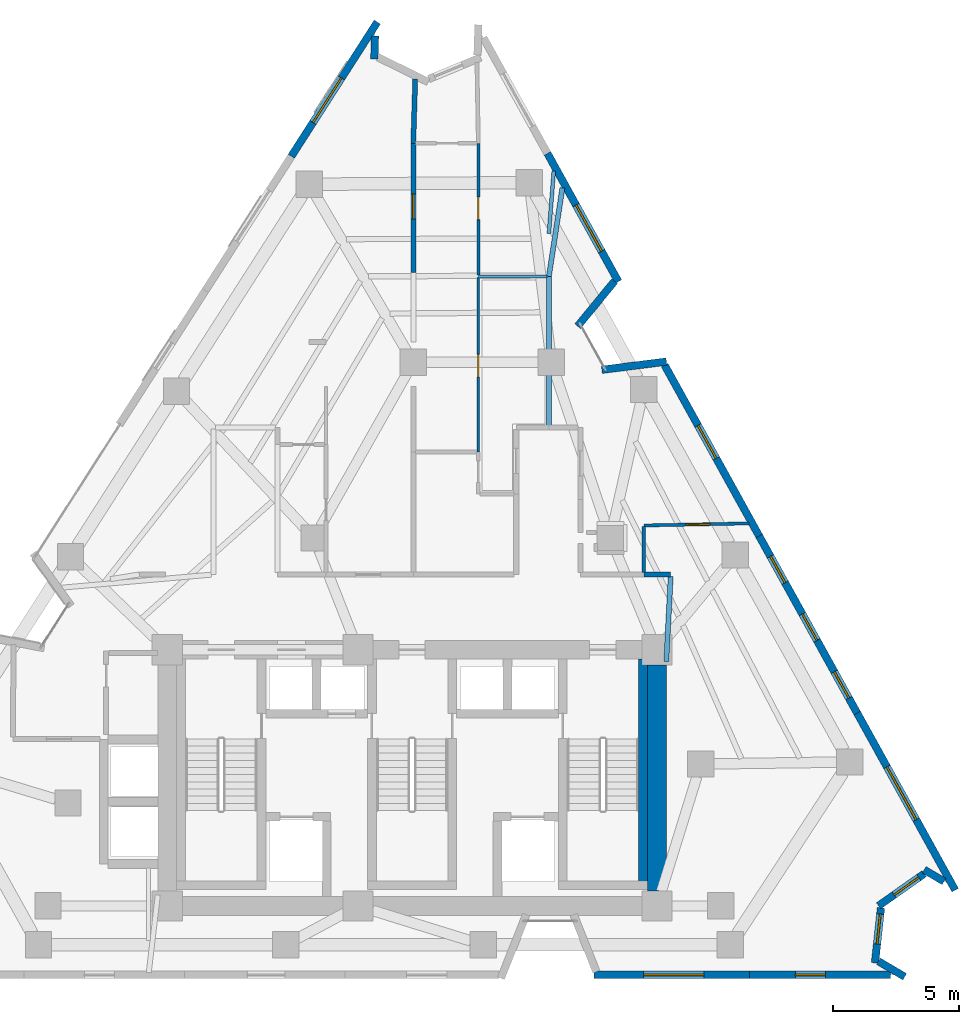
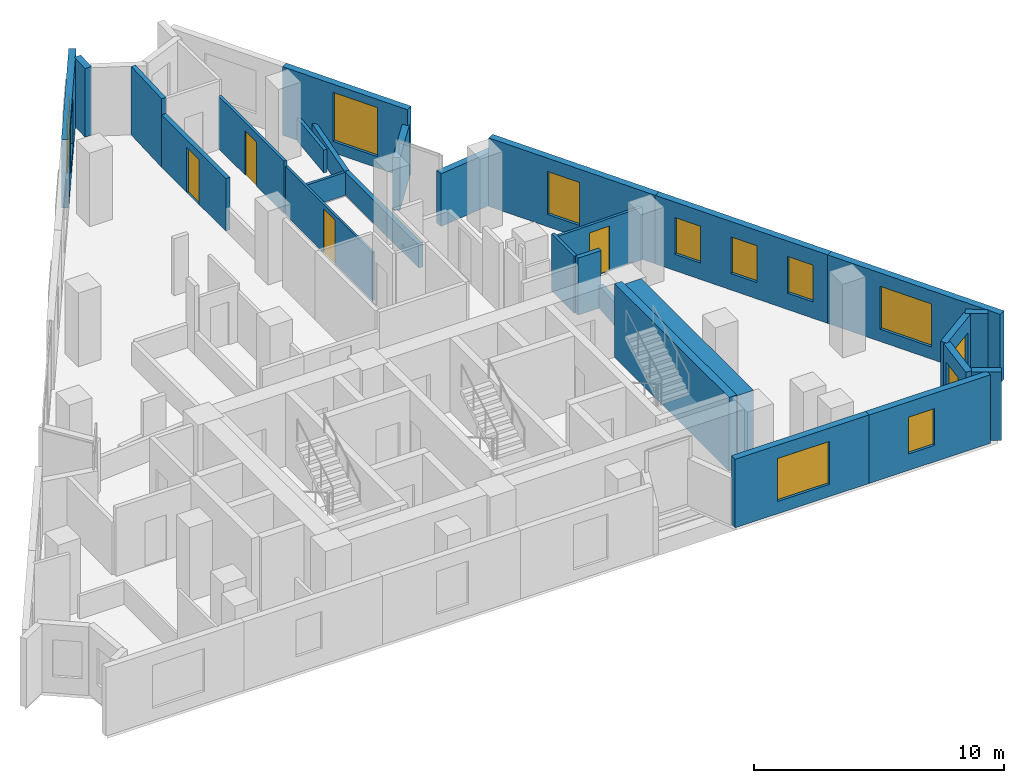
# One storey, part 7 of 10: 28 walls, 11 windows, 4 doors, 15 openings.
"""IFC4 building model written with IfcOpenShell, lengths in metres."""

import ifcopenshell
import ifcopenshell.guid

model = None  # the IFC model being written
_history = None  # IfcOwnerHistory: only IFC2X3 demands one
_inside = {}  # id of a spatial element -> (the spatial element, [elements in it])
_under = {}  # id of a project, library or spatial element -> (it, [spatial elements below it])
_declared = {}  # id of a project -> (the project, [libraries it declares])
_typed = {}  # id of a type object -> (the type object, [elements of that type])
_made_of = {}  # id of a material, layer set ... -> (it, [elements and type objects made of it])


def new_model(schema):
    """Start an empty IFC model of exactly this schema.

    Asked for "IFC4X3", IfcOpenShell would pick the latest addendum, in which some entities
    have other attributes; the version numbers below select the first issue.
    IFC2X3 requires an IfcOwnerHistory on every rooted entity: one is made here for all.
    """
    global model, _history
    if schema == "IFC4X3":
        model = ifcopenshell.file(schema_version=(4, 3, 0, 0))
    else:
        model = ifcopenshell.file(schema=schema)
    _inside.clear()
    _under.clear()
    _declared.clear()
    _typed.clear()
    _made_of.clear()
    _history = None
    if model.schema == "IFC2X3":
        org = make("IfcOrganization", Name="unknown")
        user = make(
            "IfcPersonAndOrganization",
            ThePerson=make("IfcPerson", FamilyName="unknown"),
            TheOrganization=org,
        )
        app = make(
            "IfcApplication",
            ApplicationDeveloper=org,
            Version="unknown",
            ApplicationFullName="unknown",
            ApplicationIdentifier="unknown",
        )
        _history = make(
            "IfcOwnerHistory",
            OwningUser=user,
            OwningApplication=app,
            ChangeAction="ADDED",
            CreationDate=0,
        )
    return model


def make(cls, **values):
    """One entity of the class cls with the attributes given. An attribute that is None is left unset."""
    return model.create_entity(
        cls, **{name: value for name, value in values.items() if value is not None}
    )


def rooted(cls, **values):
    """An entity with a GlobalId (a new one), such as an element, a storey or a relation."""
    return make(cls, GlobalId=ifcopenshell.guid.new(), OwnerHistory=_history, **values)


def si_unit(unit_type, name, prefix=None):
    """IfcSIUnit, for example si_unit("LENGTHUNIT", "METRE", prefix="MILLI")."""
    return make("IfcSIUnit", UnitType=unit_type, Prefix=prefix, Name=name)


def assignment(units):
    """IfcUnitAssignment: the units of a project."""
    return None if units is None else make("IfcUnitAssignment", Units=units)


def point(xyz):
    """IfcCartesianPoint."""
    return None if xyz is None else make("IfcCartesianPoint", Coordinates=xyz)


def direction(xyz):
    """IfcDirection."""
    return None if xyz is None else make("IfcDirection", DirectionRatios=xyz)


def frame(location, z_axis=None, x_axis=None):
    """IfcAxis2Placement3D, a coordinate frame: its origin and axes. An axis left out is left unset."""
    return make(
        "IfcAxis2Placement3D",
        Location=point(location),
        Axis=direction(z_axis),
        RefDirection=direction(x_axis),
    )


def frame_2d(location, x_axis=None):
    """IfcAxis2Placement2D, a coordinate frame in the plane: its origin and x axis."""
    return make(
        "IfcAxis2Placement2D", Location=point(location), RefDirection=direction(x_axis)
    )


def origin():
    """The frame at (0, 0, 0) with its axes left unset."""
    return frame((0.0, 0.0, 0.0))


def place(relative_to, where):
    """IfcLocalPlacement: puts the frame where relative to a parent placement (None: the world)."""
    return make(
        "IfcLocalPlacement", PlacementRelTo=relative_to, RelativePlacement=where
    )


def context(
    kind, dimensions, precision=None, world=None, true_north=None, identifier=None
):
    """IfcGeometricRepresentationContext, for example the 3D "Model" context."""
    return make(
        "IfcGeometricRepresentationContext",
        ContextIdentifier=identifier,
        ContextType=kind,
        CoordinateSpaceDimension=dimensions,
        Precision=precision,
        WorldCoordinateSystem=world,
        TrueNorth=true_north,
    )


def subcontext(parent, identifier, kind, view, scale=None):
    """IfcGeometricRepresentationSubContext, for example "Body" below "Model"."""
    return make(
        "IfcGeometricRepresentationSubContext",
        ContextIdentifier=identifier,
        ContextType=kind,
        ParentContext=parent,
        TargetScale=scale,
        TargetView=view,
    )


def project(units=None, contexts=None):
    """IfcProject with its units and contexts."""
    return rooted(
        "IfcProject",
        Name="project",
        RepresentationContexts=contexts,
        UnitsInContext=assignment(units),
    )


def spatial(cls, under=None, at=None, **own):
    """A site, building, storey or space (cls), placed at a placement, below another one or the project."""
    s = rooted(cls, ObjectPlacement=at, **own)
    if under is not None:
        _under.setdefault(under.id(), (under, []))[1].append(s)
    return s


def profile(cls, at=None, kind="AREA", **sizes):
    """A parametric profile (cls). Its sizes go by their IFC names, for example OverallWidth=200.0."""
    return make(cls, ProfileType=kind, Position=at, **sizes)


def rectangle(**sizes):
    """IfcRectangleProfileDef."""
    return profile("IfcRectangleProfileDef", **sizes)


def extrude(swept, where, along, depth):
    """IfcExtrudedAreaSolid: the profile swept, set in the frame where, extruded along a direction by depth."""
    return make(
        "IfcExtrudedAreaSolid",
        SweptArea=swept,
        Position=where,
        ExtrudedDirection=direction(along),
        Depth=depth,
    )


def shape(context_of_items, identifier, shape_type, items):
    """IfcShapeRepresentation: the items that make up one representation, for example the "Body"."""
    return make(
        "IfcShapeRepresentation",
        ContextOfItems=context_of_items,
        RepresentationIdentifier=identifier,
        RepresentationType=shape_type,
        Items=items,
    )


def material(Name=None, Category=None):
    """IfcMaterial."""
    return make("IfcMaterial", Name=Name, Category=Category)


def layer(
    of_material, thickness, ventilated=None, Name=None, Category=None, Priority=None
):
    """IfcMaterialLayer: one layer of a wall or slab, of a material (None: an air gap)."""
    return make(
        "IfcMaterialLayer",
        Material=of_material,
        LayerThickness=thickness,
        IsVentilated=ventilated,
        Name=Name,
        Category=Category,
        Priority=Priority,
    )


def layer_set(layers, Name=None):
    """IfcMaterialLayerSet."""
    return make("IfcMaterialLayerSet", MaterialLayers=layers, LayerSetName=Name)


def made_of(thing, what):
    """Note that an element or type object is made of a material, layer set ...; save() writes the relation."""
    if what is not None:
        _made_of.setdefault(what.id(), (what, []))[1].append(thing)
    return thing


def type_object(cls, material=None, **own):
    """A type object (cls), such as IfcWallType, which elements share."""
    return made_of(rooted(cls, **own), material)


def element(
    cls,
    number,
    at=None,
    inside=None,
    cuts=None,
    type_object=None,
    material=None,
    context=None,
    identifier="Body",
    shape_type=None,
    held_by="IfcProductDefinitionShape",
    body=None,
    shapes=None,
    **own,
):
    """One element of the class cls, such as IfcWall. Its Tag is "e" and its number.

    at: its placement. inside: the storey or other place that contains it. cuts: it is an
    opening in that element (IfcRelVoidsElement). A single representation is given by context,
    identifier, shape_type and body (its items); several are given by shapes. held_by: the class
    of the entity that holds the representations. save() writes the other relations.
    """
    e = rooted(cls, Tag="e%d" % number, ObjectPlacement=at, **own)
    if body is not None:
        shapes = [shape(context, identifier, shape_type, body)]
    if shapes is not None:
        e.Representation = make(held_by, Representations=shapes)
    if inside is not None:
        _inside.setdefault(inside.id(), (inside, []))[1].append(e)
    if cuts is not None:
        rooted(
            "IfcRelVoidsElement", RelatingBuildingElement=cuts, RelatedOpeningElement=e
        )
    if type_object is not None:
        _typed.setdefault(type_object.id(), (type_object, []))[1].append(e)
    return made_of(e, material)


def fill(opening, filler):
    """IfcRelFillsElement: the door or window that sits in an opening."""
    return rooted(
        "IfcRelFillsElement",
        RelatingOpeningElement=opening,
        RelatedBuildingElement=filler,
    )


def aggregate(whole, parts):
    """IfcRelAggregates: a whole, such as a stair, and the parts it consists of."""
    return rooted("IfcRelAggregates", RelatingObject=whole, RelatedObjects=parts)


def save(model, path):
    """Write the relations noted so far, then the file.

    IfcRelAggregates (storeys below a building ...), IfcRelContainedInSpatialStructure (elements
    in a storey), IfcRelDefinesByType, IfcRelAssociatesMaterial and IfcRelDeclares: one each for
    every whole, place, type object, material and project.
    """
    for whole, parts in _under.values():
        aggregate(whole, parts)
    for where, things in _inside.values():
        rooted(
            "IfcRelContainedInSpatialStructure",
            RelatedElements=things,
            RelatingStructure=where,
        )
    for kind, things in _typed.values():
        rooted("IfcRelDefinesByType", RelatedObjects=things, RelatingType=kind)
    for what, things in _made_of.values():
        rooted("IfcRelAssociatesMaterial", RelatedObjects=things, RelatingMaterial=what)
    for by, libraries in _declared.values():
        rooted("IfcRelDeclares", RelatingContext=by, RelatedDefinitions=libraries)
    model.write(path)


model = new_model("IFC4")

# Units and contexts
model_context = context("Model", 3, precision=1e-05, world=origin(), true_north=direction((0.0, 1.0)))
body_context = subcontext(model_context, "Body", "Model", "MODEL_VIEW")
ifc_project = project(units=[si_unit("LENGTHUNIT", "METRE"), si_unit("AREAUNIT", "SQUARE_METRE"), si_unit("VOLUMEUNIT", "CUBIC_METRE"), si_unit("PLANEANGLEUNIT", "RADIAN"), si_unit("MASSUNIT", "GRAM", prefix="KILO")], contexts=[model_context])

# Site, building, storey
site_placement = place(None, origin())
site = spatial("IfcSite", under=ifc_project, at=site_placement, CompositionType="ELEMENT")
building_placement = place(site_placement, origin())
building = spatial("IfcBuilding", under=site, at=building_placement, Name="Almagre Mirador Tower", CompositionType="ELEMENT")
storey_placement = place(building_placement, frame((0.0, 0.0, 171.60009765625)))
storey = spatial("IfcBuildingStorey", under=building, at=storey_placement, Name="L44", CompositionType="ELEMENT", Elevation=171.60009765625)

# Wall, opening, window
ifc_material_1 = material(Name="Precast concrete C50/60", Category="concrete")
ifc_layer_1 = layer(ifc_material_1, 0.300048828125)
ifc_layer_set_1 = layer_set([ifc_layer_1], Name="Precast concrete C50/60")
wall_type_1 = type_object("IfcWallType", Name="WAL-EXT-300", PredefinedType="SOLIDWALL", material=ifc_layer_set_1)
wall_1_placement = place(storey_placement, frame((32.4921875, 34.404296875, 0.0), z_axis=(0.0, 0.0, 1.0), x_axis=(0.539505373447, 0.841982156593, 0.0)))
wall_1 = element("IfcWall", 1, at=wall_1_placement, inside=storey, type_object=wall_type_1, Name="L44 expressed almagre precast frame wall 05", PredefinedType="SOLIDWALL", context=body_context, shape_type="SweptSolid", body=[
    extrude(rectangle(XDim=6.348876953125, YDim=0.300048828125, at=frame_2d((3.17431640625, 0.0))), origin(), (0.0, 0.0, 1.0), 3.349853515625),
])
opening_1_placement = place(wall_1_placement, frame((1.60009765625, 0.0, 0.550048828125)))
opening_1 = element("IfcOpeningElement", 2, at=opening_1_placement, cuts=wall_1, Name="Opening WN-05", PredefinedType="OPENING", context=body_context, shape_type="SweptSolid", body=[
    extrude(rectangle(XDim=2.10009765625, YDim=2.39990234375, at=frame_2d((1.050048828125, 1.199951171875))), frame((0.0, 0.159902, 0.0), z_axis=(0.0, -1.0, 0.0), x_axis=(1.0, 0.0, 0.0)), (0.0, 0.0, 1.0), 0.320049),
])
ifc_material_2 = material(Name="Dark solar-control laminated hurricane glass", Category="glass")
window_type_1 = type_object("IfcWindowType", Name="WIN-2100X2400", PartitioningType="DOUBLE_PANEL_VERTICAL", PredefinedType="WINDOW", material=ifc_material_2)
window_1_placement = place(opening_1_placement, origin())
window_1 = element("IfcWindow", 3, at=window_1_placement, inside=storey, type_object=window_type_1, Name="L44 recessed hurricane window L44-UG-ST", OverallHeight=2.39990234375, OverallWidth=2.10009765625, PartitioningType="SINGLE_PANEL", PredefinedType="WINDOW", context=body_context, shape_type="SweptSolid", body=[
    extrude(rectangle(XDim=2.10009765625, YDim=2.39990234375, at=frame_2d((1.050048828125, 1.199951171875))), frame((0.0, 0.030029296875, 0.0), z_axis=(0.0, -1.0, 0.0), x_axis=(1.0, 0.0, 0.0)), (0.0, 0.0, 1.0), 0.06005859375),
])
fill(opening_1, window_1)

# Wall
wall_2_placement = place(storey_placement, frame((35.827880859375, 39.192138671875, 0.0), z_axis=(0.0, 0.0, 1.0), x_axis=(-0.032034831829, -0.999486753064, 0.0)))
element("IfcWall", 4, at=wall_2_placement, inside=storey, type_object=wall_type_1, Name="L44 expressed almagre precast frame wall 06", PredefinedType="SOLIDWALL", context=body_context, shape_type="SweptSolid", body=[
    extrude(rectangle(XDim=0.91455078125, YDim=0.300048828125, at=frame_2d((0.457275390625, 0.0))), origin(), (0.0, 0.0, 1.0), 3.349853515625),
])

# Wall, opening, window
wall_3_placement = place(storey_placement, frame((42.694580078125, 34.51708984375, 0.0), z_axis=(0.0, 0.0, 1.0), x_axis=(0.484178621325, -0.874969178115, 0.0)))
wall_3 = element("IfcWall", 5, at=wall_3_placement, inside=storey, type_object=wall_type_1, Name="L44 expressed almagre precast frame wall 11", PredefinedType="SOLIDWALL", context=body_context, shape_type="SweptSolid", body=[
    extrude(rectangle(XDim=5.8349609375, YDim=0.300048828125, at=frame_2d((2.91748046875, 0.0))), origin(), (0.0, 0.0, 1.0), 3.349853515625),
])
opening_2_placement = place(wall_3_placement, frame((2.35009765625, 0.0, 0.550048828125)))
opening_2 = element("IfcOpeningElement", 6, at=opening_2_placement, cuts=wall_3, Name="Opening WN-05", PredefinedType="OPENING", context=body_context, shape_type="SweptSolid", body=[
    extrude(rectangle(XDim=2.10009765625, YDim=2.39990234375, at=frame_2d((1.050048828125, 1.199951171875))), frame((0.0, 0.159902, 0.0), z_axis=(0.0, -1.0, 0.0), x_axis=(1.0, 0.0, 0.0)), (0.0, 0.0, 1.0), 0.320049),
])
window_2_placement = place(opening_2_placement, origin())
window_2 = element("IfcWindow", 7, at=window_2_placement, inside=storey, type_object=window_type_1, Name="L44 recessed hurricane window L44-UF-ST", OverallHeight=2.39990234375, OverallWidth=2.10009765625, PartitioningType="SINGLE_PANEL", PredefinedType="WINDOW", context=body_context, shape_type="SweptSolid", body=[
    extrude(rectangle(XDim=2.10009765625, YDim=2.39990234375, at=frame_2d((1.050048828125, 1.199951171875))), frame((0.0, 0.030029296875, 0.0), z_axis=(0.0, -1.0, 0.0), x_axis=(1.0, 0.0, 0.0)), (0.0, 0.0, 1.0), 0.06005859375),
])
fill(opening_2, window_2)

# Walls
wall_4_placement = place(storey_placement, frame((45.366455078125, 29.4296875, 0.0), z_axis=(0.0, 0.0, 1.0), x_axis=(-0.634074551455, -0.773271920606, 0.0)))
element("IfcWall", 8, at=wall_4_placement, inside=storey, type_object=wall_type_1, Name="L44 expressed almagre precast frame wall 12", PredefinedType="SOLIDWALL", context=body_context, shape_type="SweptSolid", body=[
    extrude(rectangle(XDim=2.318603515625, YDim=0.300048828125, at=frame_2d((1.1591796875, 0.0))), origin(), (0.0, 0.0, 1.0), 2.574951171875),
])
wall_5_placement = place(storey_placement, frame((44.858154296875, 25.8994140625, 0.0), z_axis=(0.0, 0.0, 1.0), x_axis=(0.991953049751, 0.126606267974, 0.0)))
element("IfcWall", 9, at=wall_5_placement, inside=storey, type_object=wall_type_1, Name="L44 expressed almagre precast frame wall 13", PredefinedType="SOLIDWALL", context=body_context, shape_type="SweptSolid", body=[
    extrude(rectangle(XDim=2.593505859375, YDim=0.300048828125, at=frame_2d((1.296875, 0.0))), origin(), (0.0, 0.0, 1.0), 2.574951171875),
])

# Wall, opening, window
wall_6_placement = place(storey_placement, frame((47.35986328125, 26.08740234375, 0.0), z_axis=(0.0, 0.0, 1.0), x_axis=(0.484182040501, -0.874967286049, 0.0)))
wall_6 = element("IfcWall", 10, at=wall_6_placement, inside=storey, type_object=wall_type_1, Name="L44 expressed almagre precast frame wall 14", PredefinedType="SOLIDWALL", context=body_context, shape_type="SweptSolid", body=[
    extrude(rectangle(XDim=7.779296875, YDim=0.300048828125, at=frame_2d((3.8896484375, 0.0))), origin(), (0.0, 0.0, 1.0), 3.349853515625),
])
opening_3_placement = place(wall_6_placement, frame((2.7451171875, 0.0, 0.60009765625)))
opening_3 = element("IfcOpeningElement", 11, at=opening_3_placement, cuts=wall_6, Name="Opening WN-03", PredefinedType="OPENING", context=body_context, shape_type="SweptSolid", body=[
    extrude(rectangle(XDim=1.5, YDim=2.10009765625, at=frame_2d((0.75, 1.050048828125))), frame((0.0, 0.159902, 0.0), z_axis=(0.0, -1.0, 0.0), x_axis=(1.0, 0.0, 0.0)), (0.0, 0.0, 1.0), 0.320049),
])
ifc_material_3 = material(Name="Dark solar-control laminated hurricane glass", Category="glass")
window_type_2 = type_object("IfcWindowType", Name="WIN-1500X2100", PartitioningType="DOUBLE_PANEL_VERTICAL", PredefinedType="WINDOW", material=ifc_material_3)
window_3_placement = place(opening_3_placement, origin())
window_3 = element("IfcWindow", 12, at=window_3_placement, inside=storey, type_object=window_type_2, Name="L44 recessed hurricane window L44-UF-ST", OverallHeight=2.10009765625, OverallWidth=1.5, PartitioningType="SINGLE_PANEL", PredefinedType="WINDOW", context=body_context, shape_type="SweptSolid", body=[
    extrude(rectangle(XDim=1.5, YDim=2.10009765625, at=frame_2d((0.75, 1.050048828125))), frame((0.0, 0.030029296875, 0.0), z_axis=(0.0, -1.0, 0.0), x_axis=(1.0, 0.0, 0.0)), (0.0, 0.0, 1.0), 0.06005859375),
])
fill(opening_3, window_3)

# Wall, openings, windows
wall_7_placement = place(storey_placement, frame((51.12646484375, 19.28076171875, 0.0), z_axis=(0.0, 0.0, 1.0), x_axis=(0.484181305153, -0.87496769297, 0.0)))
wall_7 = element("IfcWall", 13, at=wall_7_placement, inside=storey, type_object=wall_type_1, Name="L44 expressed almagre precast frame wall 15", PredefinedType="SOLIDWALL", context=body_context, shape_type="SweptSolid", body=[
    extrude(rectangle(XDim=8.05908203125, YDim=0.300048828125, at=frame_2d((4.029541015625, 0.0))), origin(), (0.0, 0.0, 1.0), 3.349853515625),
])
opening_4_placement = place(wall_7_placement, frame((6.175048828125, 0.0, 0.800048828125)))
opening_4 = element("IfcOpeningElement", 14, at=opening_4_placement, cuts=wall_7, Name="Opening WN-04", PredefinedType="OPENING", context=body_context, shape_type="SweptSolid", body=[
    extrude(rectangle(XDim=1.199951171875, YDim=1.800048828125, at=frame_2d((0.60009765625, 0.89990234375))), frame((0.0, 0.159902, 0.0), z_axis=(0.0, -1.0, 0.0), x_axis=(1.0, 0.0, 0.0)), (0.0, 0.0, 1.0), 0.320049),
])
opening_5_placement = place(wall_7_placement, frame((3.550048828125, 0.0, 0.800048828125)))
opening_5 = element("IfcOpeningElement", 15, at=opening_5_placement, cuts=wall_7, Name="Opening WN-04", PredefinedType="OPENING", context=body_context, shape_type="SweptSolid", body=[
    extrude(rectangle(XDim=1.199951171875, YDim=1.800048828125, at=frame_2d((0.60009765625, 0.89990234375))), frame((0.0, 0.159902, 0.0), z_axis=(0.0, -1.0, 0.0), x_axis=(1.0, 0.0, 0.0)), (0.0, 0.0, 1.0), 0.320049),
])
opening_6_placement = place(wall_7_placement, frame((0.925048828125, 0.0, 0.800048828125)))
opening_6 = element("IfcOpeningElement", 16, at=opening_6_placement, cuts=wall_7, Name="Opening WN-04", PredefinedType="OPENING", context=body_context, shape_type="SweptSolid", body=[
    extrude(rectangle(XDim=1.199951171875, YDim=1.800048828125, at=frame_2d((0.60009765625, 0.89990234375))), frame((0.0, 0.159902, 0.0), z_axis=(0.0, -1.0, 0.0), x_axis=(1.0, 0.0, 0.0)), (0.0, 0.0, 1.0), 0.320049),
])
ifc_material_4 = material(Name="Dark solar-control laminated hurricane glass", Category="glass")
window_type_3 = type_object("IfcWindowType", Name="WIN-1200X1800", PartitioningType="SINGLE_PANEL", PredefinedType="WINDOW", material=ifc_material_4)
window_4_placement = place(opening_4_placement, origin())
window_4 = element("IfcWindow", 17, at=window_4_placement, inside=storey, type_object=window_type_3, Name="L44 recessed hurricane window L44-UC-LV", OverallHeight=1.800048828125, OverallWidth=1.199951171875, PartitioningType="SINGLE_PANEL", PredefinedType="WINDOW", context=body_context, shape_type="SweptSolid", body=[
    extrude(rectangle(XDim=1.199951171875, YDim=1.800048828125, at=frame_2d((0.60009765625, 0.89990234375))), frame((0.0, 0.030029296875, 0.0), z_axis=(0.0, -1.0, 0.0), x_axis=(1.0, 0.0, 0.0)), (0.0, 0.0, 1.0), 0.06005859375),
])
fill(opening_4, window_4)
window_5_placement = place(opening_5_placement, origin())
window_5 = element("IfcWindow", 18, at=window_5_placement, inside=storey, type_object=window_type_3, Name="L44 recessed hurricane window L44-UC-HB", OverallHeight=1.800048828125, OverallWidth=1.199951171875, PartitioningType="SINGLE_PANEL", PredefinedType="WINDOW", context=body_context, shape_type="SweptSolid", body=[
    extrude(rectangle(XDim=1.199951171875, YDim=1.800048828125, at=frame_2d((0.60009765625, 0.89990234375))), frame((0.0, 0.030029296875, 0.0), z_axis=(0.0, -1.0, 0.0), x_axis=(1.0, 0.0, 0.0)), (0.0, 0.0, 1.0), 0.06005859375),
])
fill(opening_5, window_5)
window_6_placement = place(opening_6_placement, origin())
window_6 = element("IfcWindow", 19, at=window_6_placement, inside=storey, type_object=window_type_3, Name="L44 recessed hurricane window L44-UF-KT", OverallHeight=1.800048828125, OverallWidth=1.199951171875, PartitioningType="SINGLE_PANEL", PredefinedType="WINDOW", context=body_context, shape_type="SweptSolid", body=[
    extrude(rectangle(XDim=1.199951171875, YDim=1.800048828125, at=frame_2d((0.60009765625, 0.89990234375))), frame((0.0, 0.030029296875, 0.0), z_axis=(0.0, -1.0, 0.0), x_axis=(1.0, 0.0, 0.0)), (0.0, 0.0, 1.0), 0.06005859375),
])
fill(opening_6, window_6)

# Wall, opening, window
wall_8_placement = place(storey_placement, frame((55.028564453125, 12.229248046875, 0.0), z_axis=(0.0, 0.0, 1.0), x_axis=(0.484191662818, -0.874961961263, 0.0)))
wall_8 = element("IfcWall", 20, at=wall_8_placement, inside=storey, type_object=wall_type_1, Name="L44 expressed almagre precast frame wall 16", PredefinedType="SOLIDWALL", context=body_context, shape_type="SweptSolid", body=[
    extrude(rectangle(XDim=8.0595703125, YDim=0.300048828125, at=frame_2d((4.02978515625, 0.0))), origin(), (0.0, 0.0, 1.0), 3.349853515625),
])
opening_7_placement = place(wall_8_placement, frame((2.449951171875, 0.0, 0.60009765625)))
opening_7 = element("IfcOpeningElement", 21, at=opening_7_placement, cuts=wall_8, Name="Opening WN-02", PredefinedType="OPENING", context=body_context, shape_type="SweptSolid", body=[
    extrude(rectangle(XDim=2.39990234375, YDim=2.10009765625, at=frame_2d((1.199951171875, 1.050048828125))), frame((0.0, 0.159902, 0.0), z_axis=(0.0, -1.0, 0.0), x_axis=(1.0, 0.0, 0.0)), (0.0, 0.0, 1.0), 0.320049),
])
ifc_material_5 = material(Name="Dark solar-control laminated hurricane glass", Category="glass")
window_type_4 = type_object("IfcWindowType", Name="WIN-2400X2100", PartitioningType="TRIPLE_PANEL_VERTICAL", PredefinedType="WINDOW", material=ifc_material_5)
window_7_placement = place(opening_7_placement, origin())
window_7 = element("IfcWindow", 22, at=window_7_placement, inside=storey, type_object=window_type_4, Name="L44 recessed hurricane window L44-UC-MB", OverallHeight=2.10009765625, OverallWidth=2.39990234375, PartitioningType="SINGLE_PANEL", PredefinedType="WINDOW", context=body_context, shape_type="SweptSolid", body=[
    extrude(rectangle(XDim=2.39990234375, YDim=2.10009765625, at=frame_2d((1.199951171875, 1.050048828125))), frame((0.0, 0.030029296875, 0.0), z_axis=(0.0, -1.0, 0.0), x_axis=(1.0, 0.0, 0.0)), (0.0, 0.0, 1.0), 0.06005859375),
])
fill(opening_7, window_7)

# Wall
wall_9_placement = place(storey_placement, frame((58.48388671875, 5.523681640625, 0.0), z_axis=(0.0, 0.0, 1.0), x_axis=(-0.861425815417, 0.507883416281, 0.0)))
element("IfcWall", 23, at=wall_9_placement, inside=storey, type_object=wall_type_1, Name="L44 expressed almagre precast frame wall 17", PredefinedType="SOLIDWALL", context=body_context, shape_type="SweptSolid", body=[
    extrude(rectangle(XDim=0.914306640625, YDim=0.300048828125, at=frame_2d((0.45703125, 0.0))), origin(), (0.0, 0.0, 1.0), 3.349853515625),
])

# Wall, opening, window
wall_10_placement = place(storey_placement, frame((57.698486328125, 5.83349609375, 0.0), z_axis=(0.0, 0.0, 1.0), x_axis=(-0.817967042546, -0.575265084382, 0.0)))
wall_10 = element("IfcWall", 24, at=wall_10_placement, inside=storey, type_object=wall_type_1, Name="L44 expressed almagre precast frame wall 18", PredefinedType="SOLIDWALL", context=body_context, shape_type="SweptSolid", body=[
    extrude(rectangle(XDim=2.22509765625, YDim=0.300048828125, at=frame_2d((1.112548828125, 0.0))), origin(), (0.0, 0.0, 1.0), 3.349853515625),
])
opening_8_placement = place(wall_10_placement, frame((0.264892578125, 0.0, 0.800048828125)))
opening_8 = element("IfcOpeningElement", 25, at=opening_8_placement, cuts=wall_10, Name="Opening WN-04", PredefinedType="OPENING", context=body_context, shape_type="SweptSolid", body=[
    extrude(rectangle(XDim=1.199951171875, YDim=1.800048828125, at=frame_2d((0.60009765625, 0.89990234375))), frame((0.0, 0.159902, 0.0), z_axis=(0.0, -1.0, 0.0), x_axis=(1.0, 0.0, 0.0)), (0.0, 0.0, 1.0), 0.320049),
])
window_8_placement = place(opening_8_placement, origin())
window_8 = element("IfcWindow", 26, at=window_8_placement, inside=storey, type_object=window_type_3, Name="L44 recessed hurricane window L44-UC-MB", OverallHeight=1.800048828125, OverallWidth=1.199951171875, PartitioningType="SINGLE_PANEL", PredefinedType="WINDOW", context=body_context, shape_type="SweptSolid", body=[
    extrude(rectangle(XDim=1.199951171875, YDim=1.800048828125, at=frame_2d((0.60009765625, 0.89990234375))), frame((0.0, 0.030029296875, 0.0), z_axis=(0.0, -1.0, 0.0), x_axis=(1.0, 0.0, 0.0)), (0.0, 0.0, 1.0), 0.06005859375),
])
fill(opening_8, window_8)

wall_11_placement = place(storey_placement, frame((55.975341796875, 4.469970703125, 0.0), z_axis=(0.0, 0.0, 1.0), x_axis=(-0.107733264194, -0.994179834731, 0.0)))
wall_11 = element("IfcWall", 27, at=wall_11_placement, inside=storey, type_object=wall_type_1, Name="L44 expressed almagre precast frame wall 19", PredefinedType="SOLIDWALL", context=body_context, shape_type="SweptSolid", body=[
    extrude(rectangle(XDim=2.205078125, YDim=0.300048828125, at=frame_2d((1.1025390625, 0.0))), origin(), (0.0, 0.0, 1.0), 3.349853515625),
])
opening_9_placement = place(wall_11_placement, frame((0.2451171875, 0.0, 0.800048828125)))
opening_9 = element("IfcOpeningElement", 28, at=opening_9_placement, cuts=wall_11, Name="Opening WN-04", PredefinedType="OPENING", context=body_context, shape_type="SweptSolid", body=[
    extrude(rectangle(XDim=1.199951171875, YDim=1.800048828125, at=frame_2d((0.60009765625, 0.89990234375))), frame((0.0, 0.159902, 0.0), z_axis=(0.0, -1.0, 0.0), x_axis=(1.0, 0.0, 0.0)), (0.0, 0.0, 1.0), 0.320049),
])
window_9_placement = place(opening_9_placement, origin())
window_9 = element("IfcWindow", 29, at=window_9_placement, inside=storey, type_object=window_type_3, Name="L44 recessed hurricane window L44-UC-MB", OverallHeight=1.800048828125, OverallWidth=1.199951171875, PartitioningType="SINGLE_PANEL", PredefinedType="WINDOW", context=body_context, shape_type="SweptSolid", body=[
    extrude(rectangle(XDim=1.199951171875, YDim=1.800048828125, at=frame_2d((0.60009765625, 0.89990234375))), frame((0.0, 0.030029296875, 0.0), z_axis=(0.0, -1.0, 0.0), x_axis=(1.0, 0.0, 0.0)), (0.0, 0.0, 1.0), 0.06005859375),
])
fill(opening_9, window_9)

# Wall
wall_12_placement = place(storey_placement, frame((55.87353515625, 2.345947265625, 0.0), z_axis=(0.0, 0.0, 1.0), x_axis=(0.861577684209, -0.50762574213, 0.0)))
element("IfcWall", 30, at=wall_12_placement, inside=storey, type_object=wall_type_1, Name="L44 expressed almagre precast frame wall 20", PredefinedType="SOLIDWALL", context=body_context, shape_type="SweptSolid", body=[
    extrude(rectangle(XDim=1.21533203125, YDim=0.300048828125, at=frame_2d((0.607666015625, 0.0))), origin(), (0.0, 0.0, 1.0), 3.349853515625),
])

# Wall, opening, window
wall_13_placement = place(storey_placement, frame((56.360107421875, 1.800048828125, 0.0), z_axis=(0.0, 0.0, 1.0), x_axis=(-1.0, 0.0, 0.0)))
wall_13 = element("IfcWall", 31, at=wall_13_placement, inside=storey, type_object=wall_type_1, Name="L44 expressed almagre precast frame wall 21", PredefinedType="SOLIDWALL", context=body_context, shape_type="SweptSolid", body=[
    extrude(rectangle(XDim=5.614013671875, YDim=0.300048828125, at=frame_2d((2.80712890625, 0.0))), origin(), (0.0, 0.0, 1.0), 3.349853515625),
])
opening_10_placement = place(wall_13_placement, frame((2.594970703125, 0.0, 0.800048828125)))
opening_10 = element("IfcOpeningElement", 32, at=opening_10_placement, cuts=wall_13, Name="Opening WN-04", PredefinedType="OPENING", context=body_context, shape_type="SweptSolid", body=[
    extrude(rectangle(XDim=1.199951171875, YDim=1.800048828125, at=frame_2d((0.60009765625, 0.89990234375))), frame((0.0, 0.159902, 0.0), z_axis=(0.0, -1.0, 0.0), x_axis=(1.0, 0.0, 0.0)), (0.0, 0.0, 1.0), 0.320049),
])
window_10_placement = place(opening_10_placement, origin())
window_10 = element("IfcWindow", 33, at=window_10_placement, inside=storey, type_object=window_type_3, Name="L44 recessed hurricane window L44-UC-KT", OverallHeight=1.800048828125, OverallWidth=1.199951171875, PartitioningType="SINGLE_PANEL", PredefinedType="WINDOW", context=body_context, shape_type="SweptSolid", body=[
    extrude(rectangle(XDim=1.199951171875, YDim=1.800048828125, at=frame_2d((0.60009765625, 0.89990234375))), frame((0.0, 0.030029296875, 0.0), z_axis=(0.0, -1.0, 0.0), x_axis=(1.0, 0.0, 0.0)), (0.0, 0.0, 1.0), 0.06005859375),
])
fill(opening_10, window_10)

wall_14_placement = place(storey_placement, frame((50.74609375, 1.800048828125, 0.0), z_axis=(0.0, 0.0, 1.0), x_axis=(-1.0, 0.0, 0.0)))
wall_14 = element("IfcWall", 34, at=wall_14_placement, inside=storey, type_object=wall_type_1, Name="L44 expressed almagre precast frame wall 22", PredefinedType="SOLIDWALL", context=body_context, shape_type="SweptSolid", body=[
    extrude(rectangle(XDim=6.194091796875, YDim=0.300048828125, at=frame_2d((3.09716796875, 0.0))), origin(), (0.0, 0.0, 1.0), 3.349853515625),
])
opening_11_placement = place(wall_14_placement, frame((1.824951171875, 0.0, 0.60009765625)))
opening_11 = element("IfcOpeningElement", 35, at=opening_11_placement, cuts=wall_14, Name="Opening WN-02", PredefinedType="OPENING", context=body_context, shape_type="SweptSolid", body=[
    extrude(rectangle(XDim=2.39990234375, YDim=2.10009765625, at=frame_2d((1.199951171875, 1.050048828125))), frame((0.0, 0.159902, 0.0), z_axis=(0.0, -1.0, 0.0), x_axis=(1.0, 0.0, 0.0)), (0.0, 0.0, 1.0), 0.320049),
])
window_11_placement = place(opening_11_placement, origin())
window_11 = element("IfcWindow", 36, at=window_11_placement, inside=storey, type_object=window_type_4, Name="L44 recessed hurricane window L44-RST-B", OverallHeight=2.10009765625, OverallWidth=2.39990234375, PartitioningType="SINGLE_PANEL", PredefinedType="WINDOW", context=body_context, shape_type="SweptSolid", body=[
    extrude(rectangle(XDim=2.39990234375, YDim=2.10009765625, at=frame_2d((1.199951171875, 1.050048828125))), frame((0.0, 0.030029296875, 0.0), z_axis=(0.0, -1.0, 0.0), x_axis=(1.0, 0.0, 0.0)), (0.0, 0.0, 1.0), 0.06005859375),
])
fill(opening_11, window_11)

# Wall, opening, door
ifc_material_6 = material(Name="Gypsum acoustic stud partition", Category="other")
ifc_layer_2 = layer(ifc_material_6, 0.10009765625)
ifc_layer_set_2 = layer_set([ifc_layer_2], Name="Gypsum acoustic stud partition")
wall_type_2 = type_object("IfcWallType", Name="WAL-PRT-100-CLS", PredefinedType="PARTITIONING", material=ifc_layer_set_2)
wall_15_placement = place(storey_placement, frame((39.93994140625, 29.572509765625, 0.0), z_axis=(0.0, 0.0, 1.0), x_axis=(0.0, -1.0, 0.0)))
wall_15 = element("IfcWall", 37, at=wall_15_placement, inside=storey, type_object=wall_type_2, Name="L44 interior partition 068", PredefinedType="PARTITIONING", context=body_context, shape_type="SweptSolid", body=[
    extrude(rectangle(XDim=6.942626953125, YDim=0.10009765625, at=frame_2d((3.47119140625, 0.0))), origin(), (0.0, 0.0, 1.0), 2.369873046875),
])
opening_12_placement = place(wall_15_placement, frame((3.056884765625, 0.0, 0.0)))
opening_12 = element("IfcOpeningElement", 38, at=opening_12_placement, cuts=wall_15, Name="Opening UD-02", PredefinedType="OPENING", context=body_context, shape_type="SweptSolid", body=[
    extrude(rectangle(XDim=0.89990234375, YDim=2.14990234375, at=frame_2d((0.449951171875, 1.074951171875))), frame((0.0, 0.060049, 0.0), z_axis=(0.0, -1.0, 0.0), x_axis=(1.0, 0.0, 0.0)), (0.0, 0.0, 1.0), 0.120098),
])
ifc_material_7 = material(Name="Solid American walnut timber", Category="wood")
door_type_1 = type_object("IfcDoorType", Name="DOR-UNR-900X2150", OperationType="NOTDEFINED", PredefinedType="DOOR", material=ifc_material_7)
door_1_placement = place(opening_12_placement, origin())
door_1 = element("IfcDoor", 39, at=door_1_placement, inside=storey, type_object=door_type_1, Name="DR-1417 L44 interior door L44-UH-LV to L44-UH-MB", OperationType="SINGLE_SWING_RIGHT", OverallHeight=2.14990234375, OverallWidth=0.89990234375, PredefinedType="DOOR", context=body_context, shape_type="SweptSolid", body=[
    extrude(rectangle(XDim=0.89990234375, YDim=2.14990234375, at=frame_2d((0.449951171875, 1.074951171875))), frame((0.0, 0.02490234375, 0.0), z_axis=(0.0, -1.0, 0.0), x_axis=(1.0, 0.0, 0.0)), (0.0, 0.0, 1.0), 0.050048828125),
])
fill(opening_12, door_1)

ifc_material_8 = material(Name="Gypsum acoustic stud partition", Category="other")
ifc_layer_3 = layer(ifc_material_8, 0.125)
ifc_layer_set_3 = layer_set([ifc_layer_3], Name="Gypsum acoustic stud partition")
wall_type_3 = type_object("IfcWallType", Name="WAL-PRT-125-UTL", PredefinedType="PARTITIONING", material=ifc_layer_set_3)
wall_16_placement = place(storey_placement, frame((46.530029296875, 19.699951171875, 0.0), z_axis=(0.0, 0.0, 1.0), x_axis=(0.999798892802, 0.020054275168, 0.0)))
wall_16 = element("IfcWall", 40, at=wall_16_placement, inside=storey, type_object=wall_type_3, Name="L44 interior partition 052", PredefinedType="PARTITIONING", context=body_context, shape_type="SweptSolid", body=[
    extrude(rectangle(XDim=4.187744140625, YDim=0.125, at=frame_2d((2.09375, 0.0))), origin(), (0.0, 0.0, 1.0), 2.56982421875),
])
opening_13_placement = place(wall_16_placement, frame((1.688232421875, 0.0, 0.0)))
opening_13 = element("IfcOpeningElement", 41, at=opening_13_placement, cuts=wall_16, Name="Opening UD-01", PredefinedType="OPENING", context=body_context, shape_type="SweptSolid", body=[
    extrude(rectangle(XDim=0.949951171875, YDim=2.199951171875, at=frame_2d((0.47509765625, 1.10009765625))), frame((0.0, 0.0725, 0.0), z_axis=(0.0, -1.0, 0.0), x_axis=(1.0, 0.0, 0.0)), (0.0, 0.0, 1.0), 0.145),
])
ifc_material_9 = material(Name="Solid American walnut timber", Category="wood")
door_type_2 = type_object("IfcDoorType", Name="DOR-UNR-950X2200", OperationType="NOTDEFINED", PredefinedType="DOOR", material=ifc_material_9)
door_2_placement = place(opening_13_placement, origin())
door_2 = element("IfcDoor", 42, at=door_2_placement, inside=storey, type_object=door_type_2, Name="DR-1413 L44 interior door L44-UF-ST to L44-UF-KT", OperationType="SINGLE_SWING_RIGHT", OverallHeight=2.199951171875, OverallWidth=0.949951171875, PredefinedType="DOOR", context=body_context, shape_type="SweptSolid", body=[
    extrude(rectangle(XDim=0.949951171875, YDim=2.199951171875, at=frame_2d((0.47509765625, 1.10009765625))), frame((0.0, 0.02490234375, 0.0), z_axis=(0.0, -1.0, 0.0), x_axis=(1.0, 0.0, 0.0)), (0.0, 0.0, 1.0), 0.050048828125),
])
fill(opening_13, door_2)

# Wall
wall_17_placement = place(storey_placement, frame((42.6650390625, 29.6201171875, 0.0), z_axis=(0.0, 0.0, 1.0), x_axis=(-1.0, 0.0, 0.0)))
element("IfcWall", 43, at=wall_17_placement, inside=storey, type_object=wall_type_3, Name="L44 interior partition 067", PredefinedType="PARTITIONING", context=body_context, shape_type="SweptSolid", body=[
    extrude(rectangle(XDim=2.72509765625, YDim=0.125, at=frame_2d((1.362548828125, 0.0))), origin(), (0.0, 0.0, 1.0), 1.119873046875),
])

# Wall, opening, door
wall_18_placement = place(storey_placement, frame((39.93994140625, 34.919921875, 0.0), z_axis=(0.0, 0.0, 1.0), x_axis=(0.0, -1.0, 0.0)))
wall_18 = element("IfcWall", 44, at=wall_18_placement, inside=storey, type_object=wall_type_3, Name="L44 interior partition 070", PredefinedType="PARTITIONING", context=body_context, shape_type="SweptSolid", body=[
    extrude(rectangle(XDim=5.25244140625, YDim=0.125, at=frame_2d((2.626220703125, 0.0))), origin(), (0.0, 0.0, 1.0), 2.56982421875),
])
opening_14_placement = place(wall_18_placement, frame((2.14111328125, 0.0, 0.0)))
opening_14 = element("IfcOpeningElement", 45, at=opening_14_placement, cuts=wall_18, Name="Opening UD-02", PredefinedType="OPENING", context=body_context, shape_type="SweptSolid", body=[
    extrude(rectangle(XDim=0.89990234375, YDim=2.14990234375, at=frame_2d((0.449951171875, 1.074951171875))), frame((0.0, 0.0725, 0.0), z_axis=(0.0, -1.0, 0.0), x_axis=(1.0, 0.0, 0.0)), (0.0, 0.0, 1.0), 0.145),
])
door_3_placement = place(opening_14_placement, origin())
door_3 = element("IfcDoor", 46, at=door_3_placement, inside=storey, type_object=door_type_1, Name="DR-1415 L44 interior door L44-UH-KT to L44-UH-MB", OperationType="SINGLE_SWING_RIGHT", OverallHeight=2.14990234375, OverallWidth=0.89990234375, PredefinedType="DOOR", context=body_context, shape_type="SweptSolid", body=[
    extrude(rectangle(XDim=0.89990234375, YDim=2.14990234375, at=frame_2d((0.449951171875, 1.074951171875))), frame((0.0, 0.02490234375, 0.0), z_axis=(0.0, -1.0, 0.0), x_axis=(1.0, 0.0, 0.0)), (0.0, 0.0, 1.0), 0.050048828125),
])
fill(opening_14, door_3)

# Walls
ifc_material_10 = material(Name="Gypsum acoustic stud partition", Category="other")
ifc_layer_4 = layer(ifc_material_10, 0.14990234375)
ifc_layer_set_4 = layer_set([ifc_layer_4], Name="Gypsum acoustic stud partition")
wall_type_4 = type_object("IfcWallType", Name="WAL-PRT-150-STD", PredefinedType="PARTITIONING", material=ifc_layer_set_4)
wall_19_placement = place(storey_placement, frame((46.530029296875, 19.652587890625, 0.0), z_axis=(0.0, 0.0, 1.0), x_axis=(0.0, -1.0, 0.0)))
element("IfcWall", 47, at=wall_19_placement, inside=storey, type_object=wall_type_4, Name="L44 interior partition 057", PredefinedType="PARTITIONING", context=body_context, shape_type="SweptSolid", body=[
    extrude(rectangle(XDim=1.817626953125, YDim=0.14990234375, at=frame_2d((0.90869140625, 0.0))), origin(), (0.0, 0.0, 1.0), 2.786865234375),
])
wall_20_placement = place(storey_placement, frame((42.944091796875, 33.822998046875, 0.0), z_axis=(0.0, 0.0, 1.0), x_axis=(-0.077652540781, -0.996980482713, 0.0)))
element("IfcWall", 48, at=wall_20_placement, inside=storey, type_object=wall_type_4, Name="L44 interior partition 081", PredefinedType="PARTITIONING", context=body_context, shape_type="SweptSolid", body=[
    extrude(rectangle(XDim=2.49951171875, YDim=0.14990234375, at=frame_2d((1.249755859375, 0.0))), origin(), (0.0, 0.0, 1.0), 1.119873046875),
])
ifc_material_11 = material(Name="Gypsum acoustic stud partition", Category="other")
ifc_layer_5 = layer(ifc_material_11, 0.199951171875)
ifc_layer_set_5 = layer_set([ifc_layer_5], Name="Gypsum acoustic stud partition")
wall_type_5 = type_object("IfcWallType", Name="WAL-PRT-200-EI60", PredefinedType="PARTITIONING", material=ifc_layer_set_5)
wall_21_placement = place(storey_placement, frame((47.60009765625, 17.75, 0.0), z_axis=(0.0, 0.0, 1.0), x_axis=(-1.0, 0.0, 0.0)))
element("IfcWall", 49, at=wall_21_placement, inside=storey, type_object=wall_type_5, Name="L44 interior partition 018", PredefinedType="PARTITIONING", context=body_context, shape_type="SweptSolid", body=[
    extrude(rectangle(XDim=1.070068359375, YDim=0.199951171875, at=frame_2d((0.53515625, 0.0))), origin(), (0.0, 0.0, 1.0), 2.786865234375),
])
wall_22_placement = place(storey_placement, frame((42.75, 29.6201171875, 0.0), z_axis=(0.0, 0.0, 1.0), x_axis=(0.0, -1.0, 0.0)))
element("IfcWall", 50, at=wall_22_placement, inside=storey, type_object=wall_type_5, Name="L44 interior partition 055", PredefinedType="PARTITIONING", context=body_context, shape_type="SweptSolid", body=[
    extrude(rectangle(XDim=5.93505859375, YDim=0.199951171875, at=frame_2d((2.967529296875, 0.0))), origin(), (0.0, 0.0, 1.0), 1.119873046875),
])
wall_23_placement = place(storey_placement, frame((43.2880859375, 33.14501953125, 0.0), z_axis=(0.0, 0.0, 1.0), x_axis=(-0.150904593609, -0.988548331458, 0.0)))
element("IfcWall", 51, at=wall_23_placement, inside=storey, type_object=wall_type_5, Name="L44 interior partition 056", PredefinedType="PARTITIONING", context=body_context, shape_type="SweptSolid", body=[
    extrude(rectangle(XDim=3.565673828125, YDim=0.199951171875, at=frame_2d((1.78271484375, 0.0))), origin(), (0.0, 0.0, 1.0), 1.119873046875),
])

# Wall, opening, door
wall_24_placement = place(storey_placement, frame((37.35009765625, 29.780029296875, 0.0), z_axis=(0.0, 0.0, 1.0), x_axis=(0.0, 1.0, 0.0)))
wall_24 = element("IfcWall", 52, at=wall_24_placement, inside=storey, type_object=wall_type_5, Name="L44 interior partition 061", PredefinedType="PARTITIONING", context=body_context, shape_type="SweptSolid", body=[
    extrude(rectangle(XDim=5.139892578125, YDim=0.199951171875, at=frame_2d((2.56982421875, 0.0))), origin(), (0.0, 0.0, 1.0), 2.56982421875),
])
opening_15_placement = place(wall_24_placement, frame((2.12841796875, 0.0, 0.0)))
opening_15 = element("IfcOpeningElement", 53, at=opening_15_placement, cuts=wall_24, Name="Opening ID-01", PredefinedType="OPENING", context=body_context, shape_type="SweptSolid", body=[
    extrude(rectangle(XDim=1.0, YDim=2.199951171875, at=frame_2d((0.5, 1.10009765625))), frame((0.0, 0.110098, 0.0), z_axis=(0.0, -1.0, 0.0), x_axis=(1.0, 0.0, 0.0)), (0.0, 0.0, 1.0), 0.219951),
])
ifc_material_12 = material(Name="Fire-rated walnut timber", Category="wood")
door_type_3 = type_object("IfcDoorType", Name="DOR-FD60-1000X2200", OperationType="NOTDEFINED", PredefinedType="DOOR", material=ifc_material_12)
door_4_placement = place(opening_15_placement, origin())
door_4 = element("IfcDoor", 54, at=door_4_placement, inside=storey, type_object=door_type_3, Name="DR-1419 L44 interior door L44-UG-ST to L44-UH-MB", OperationType="SINGLE_SWING_RIGHT", OverallHeight=2.199951171875, OverallWidth=1.0, PredefinedType="DOOR", context=body_context, shape_type="SweptSolid", body=[
    extrude(rectangle(XDim=1.0, YDim=2.199951171875, at=frame_2d((0.5, 1.10009765625))), frame((0.0, 0.02490234375, 0.0), z_axis=(0.0, -1.0, 0.0), x_axis=(1.0, 0.0, 0.0)), (0.0, 0.0, 1.0), 0.050048828125),
])
fill(opening_15, door_4)

# Walls
wall_25_placement = place(storey_placement, frame((37.35009765625, 34.919921875, 0.0), z_axis=(0.0, 0.0, 1.0), x_axis=(0.029966549364, 0.999550902115, 0.0)))
element("IfcWall", 55, at=wall_25_placement, inside=storey, type_object=wall_type_5, Name="L44 interior partition 062", PredefinedType="PARTITIONING", context=body_context, shape_type="SweptSolid", body=[
    extrude(rectangle(XDim=2.56640625, YDim=0.199951171875, at=frame_2d((1.283203125, 0.0))), origin(), (0.0, 0.0, 1.0), 3.349853515625),
])
wall_26_placement = place(storey_placement, frame((47.425048828125, 14.280029296875, 0.0), z_axis=(0.0, 0.0, 1.0), x_axis=(0.051569748391, 0.998669395271, 0.0)))
element("IfcWall", 56, at=wall_26_placement, inside=storey, type_object=wall_type_5, Name="L44 interior partition 078", PredefinedType="PARTITIONING", context=body_context, shape_type="SweptSolid", body=[
    extrude(rectangle(XDim=3.39453125, YDim=0.199951171875, at=frame_2d((1.697265625, 0.0))), origin(), (0.0, 0.0, 1.0), 1.119873046875),
])
ifc_material_13 = material(Name="Concrete C60/75", Category="concrete")
ifc_layer_6 = layer(ifc_material_13, 0.35009765625)
ifc_layer_set_6 = layer_set([ifc_layer_6], Name="Concrete C60/75")
wall_type_6 = type_object("IfcWallType", Name="WAL-SHF-350", PredefinedType="SOLIDWALL", material=ifc_layer_set_6)
wall_27_placement = place(storey_placement, frame((46.5, 5.199951171875, 0.0), z_axis=(0.0, 0.0, 1.0), x_axis=(0.0, 1.0, 0.0)))
element("IfcWall", 57, at=wall_27_placement, inside=storey, type_object=wall_type_6, Name="L44 shaft wall ST3-E", PredefinedType="SOLIDWALL", context=body_context, shape_type="SweptSolid", body=[
    extrude(rectangle(XDim=9.175048828125, YDim=0.35009765625, at=frame_2d((4.58740234375, 0.0))), origin(), (0.0, 0.0, 1.0), 3.599853515625),
])
ifc_material_14 = material(Name="Concrete C60/75", Category="concrete")
ifc_layer_7 = layer(ifc_material_14, 0.75)
ifc_layer_set_7 = layer_set([ifc_layer_7], Name="Concrete C60/75")
wall_type_7 = type_object("IfcWallType", Name="WAL-SHR-750", PredefinedType="SHEAR", material=ifc_layer_set_7)
wall_28_placement = place(storey_placement, frame((47.050048828125, 5.14990234375, 0.0), z_axis=(0.0, 0.0, 1.0), x_axis=(0.0, 1.0, 0.0)))
element("IfcWall", 58, at=wall_28_placement, inside=storey, type_object=wall_type_7, Name="L44 core shear wall E1", PredefinedType="SHEAR", context=body_context, shape_type="SweptSolid", body=[
    extrude(rectangle(XDim=9.0, YDim=0.75, at=frame_2d((4.5, 0.0))), origin(), (0.0, 0.0, 1.0), 3.599853515625),
])

save(model, "model.ifc")
